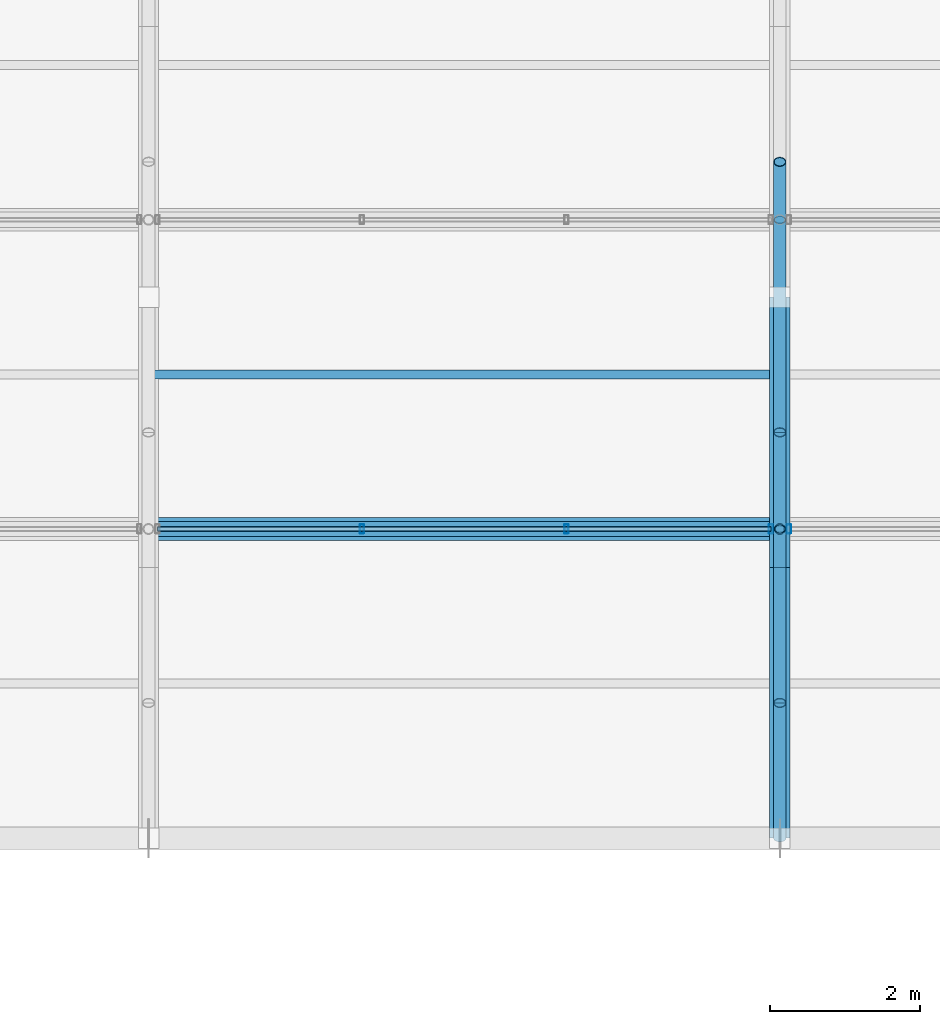
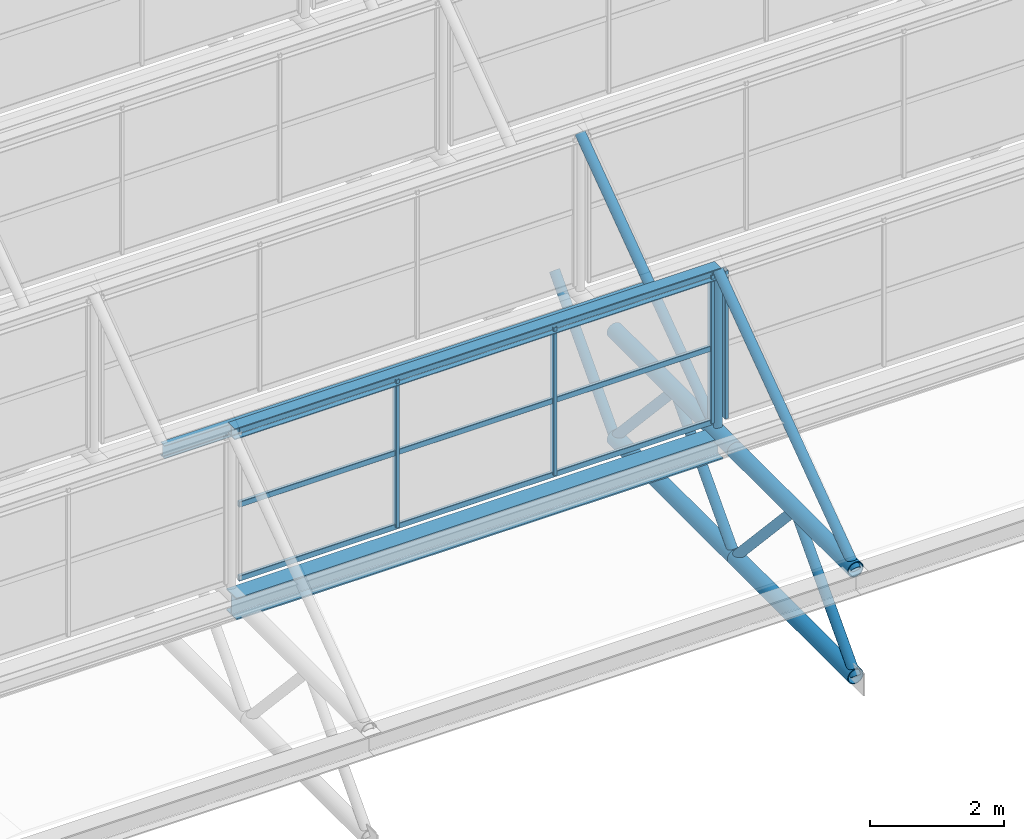
# One storey, part 56 of 134: 19 members, 3 beams, 2 elements without a shape of their own.
"""IFC4 building model written with IfcOpenShell, lengths in metres."""

from ifc_helpers import new_model, si_unit, derived_unit, direction, frame, origin, origin_2d, place, context, subcontext, project, spatial, hollow_rectangle, hollow_circle, i_section, extrude, material, material_profile, profile_set, type_object, element, aggregate, save


model = new_model("IFC4")

# Units and contexts
model_context = context("Model", 3, precision=1e-05, world=origin(), true_north=direction((0.0, 1.0)))
body_context = subcontext(model_context, "Body", "Model", "MODEL_VIEW")
ifc_project = project(units=[si_unit("LENGTHUNIT", "METRE"), si_unit("AREAUNIT", "SQUARE_METRE"), si_unit("VOLUMEUNIT", "CUBIC_METRE"), si_unit("PLANEANGLEUNIT", "RADIAN"), si_unit("MASSUNIT", "GRAM", prefix="KILO"), derived_unit("THERMALTRANSMITTANCEUNIT", [(si_unit("MASSUNIT", "GRAM", prefix="KILO"), 1), (si_unit("TIMEUNIT", "SECOND"), -3), (si_unit("THERMODYNAMICTEMPERATUREUNIT", "KELVIN"), -1)])], contexts=[model_context])

# Site, building, storey
site_placement = place(None, origin())
site = spatial("IfcSite", under=ifc_project, at=site_placement, CompositionType="ELEMENT")
building_placement = place(site_placement, origin())
building = spatial("IfcBuilding", under=site, at=building_placement, Name="Kharveza Railside Sports Centre", CompositionType="ELEMENT")
storey_placement = place(building_placement, frame((0.0, 0.0, 12.89990234375)))
storey = spatial("IfcBuildingStorey", under=building, at=storey_placement, Name="L03", CompositionType="ELEMENT", Elevation=12.89990234375)

# Beams
ifc_material_1 = material(Name="Steel S355J2", Category="steel")
ifc_material_profile_1 = material_profile(ifc_material_1, i_section(OverallWidth=0.300048828125, OverallDepth=0.39990234375, WebThickness=0.013427734375, FlangeThickness=0.02392578125, FilletRadius=0.027099609375, at=origin_2d()), Name="HEB 400")
ifc_profile_set_1 = profile_set([ifc_material_profile_1], Name="Steel S355J2")
beam_type_1 = type_object("IfcBeamType", Name="BM-G07", PredefinedType="T_BEAM", material=ifc_profile_set_1)
beam_1_placement = place(storey_placement, frame((109.199951171875, 83.314208984375, 1.760009765625), z_axis=(1.0, 0.0, 0.0), x_axis=(0.0, 1.0, 0.0)))
element("IfcBeam", 1, at=beam_1_placement, inside=storey, type_object=beam_type_1, Name="BM-V2SAW-VAL-2-3", PredefinedType="T_BEAM", context=body_context, shape_type="SweptSolid", body=[
    extrude(i_section(OverallWidth=0.300048828125, OverallDepth=0.39990234375, WebThickness=0.013427734375, FlangeThickness=0.02392578125, FilletRadius=0.027099609375, at=origin_2d()), origin(), (0.0, 0.0, 1.0), 8.400146484375),
])
ifc_material_2 = material(Name="Steel S275JR", Category="steel")
ifc_material_profile_2 = material_profile(ifc_material_2, i_section(OverallWidth=0.1201171875, OverallDepth=0.239990234375, WebThickness=0.006103515625, FlangeThickness=0.009765625, FilletRadius=0.014892578125, at=origin_2d()), Name="IPE 240")
ifc_profile_set_2 = profile_set([ifc_material_profile_2], Name="Steel S275JR")
beam_type_2 = type_object("IfcBeamType", Name="BM-J01", PredefinedType="JOIST", material=ifc_profile_set_2)
beam_2_placement = place(storey_placement, frame((109.199951171875, 85.37158203125, 3.320068359375), z_axis=(1.0, 0.0, 0.0), x_axis=(0.0, 1.0, 0.0)))
element("IfcBeam", 2, at=beam_2_placement, inside=storey, type_object=beam_type_2, Name="BM-V2SAW-PUR-2-3", PredefinedType="JOIST", context=body_context, shape_type="SweptSolid", body=[
    extrude(i_section(OverallWidth=0.1201171875, OverallDepth=0.239990234375, WebThickness=0.006103515625, FlangeThickness=0.009765625, FilletRadius=0.014892578125, at=origin_2d()), origin(), (0.0, 0.0, 1.0), 8.400146484375),
])
ifc_material_profile_3 = material_profile(ifc_material_2, i_section(OverallWidth=0.199951171875, OverallDepth=0.199951171875, WebThickness=0.009033203125, FlangeThickness=0.014892578125, FilletRadius=0.01806640625, at=origin_2d()), Name="HEB 200")
ifc_profile_set_3 = profile_set([ifc_material_profile_3], Name="Steel S275JR")
beam_type_3 = type_object("IfcBeamType", Name="BM-J05", PredefinedType="JOIST", material=ifc_profile_set_3)
beam_3_placement = place(storey_placement, frame((109.199951171875, 83.314208984375, 4.920166015625), z_axis=(1.0, 0.0, 0.0), x_axis=(0.0, 1.0, 0.0)))
element("IfcBeam", 3, at=beam_3_placement, inside=storey, type_object=beam_type_3, Name="BM-V2SAW-RDG-1-3", PredefinedType="JOIST", context=body_context, shape_type="SweptSolid", body=[
    extrude(i_section(OverallWidth=0.199951171875, OverallDepth=0.199951171875, WebThickness=0.009033203125, FlangeThickness=0.014892578125, FilletRadius=0.01806640625, at=origin_2d()), origin(), (0.0, 0.0, 1.0), 8.400146484375),
])

# Curtain wall, members
ifc_material_3 = material(Name="Low-E solar-control laminated glass", Category="glass")
curtain_wall_type = type_object("IfcCurtainWallType", Name="CW-NL02", PredefinedType="NOTDEFINED", material=ifc_material_3)
curtain_wall_1_placement = place(storey_placement, origin())
curtain_wall_1 = element("IfcCurtainWall", 4, at=curtain_wall_1_placement, inside=storey, type_object=curtain_wall_type, Name="CW-V2NL-1-3", PredefinedType="NOTDEFINED")
ifc_material_4 = material(Name="Anodised aluminium 6063-T6", Category="aluminium")
ifc_material_profile_4 = material_profile(ifc_material_4, hollow_rectangle(XDim=0.06005859375, YDim=0.1201171875, WallThickness=0.0048828125, InnerFilletRadius=0.0048828125, OuterFilletRadius=0.010009765625, at=origin_2d()), Name="RHS 60x120x5.0")
ifc_profile_set_4 = profile_set([ifc_material_profile_4], Name="Anodised aluminium 6063-T6")
member_type_1 = type_object("IfcMemberType", Name="CW-ML05", PredefinedType="MULLION", material=ifc_profile_set_4)
member_1_placement = place(storey_placement, frame((112.0400390625, 83.314208984375, 2.2001953125), z_axis=(0.0, 0.0, 1.0), x_axis=(1.0, 0.0, 0.0)))
member_1 = element("IfcMember", 5, at=member_1_placement, type_object=member_type_1, Name="CW-V2NL-1-3-ML2", PredefinedType="MULLION", context=body_context, shape_type="SweptSolid", body=[
    extrude(hollow_rectangle(XDim=0.06005859375, YDim=0.1201171875, WallThickness=0.0048828125, InnerFilletRadius=0.0048828125, OuterFilletRadius=0.010009765625, at=origin_2d()), origin(), (0.0, 0.0, 1.0), 2.699951171875),
])
member_2_placement = place(storey_placement, frame((114.760009765625, 83.314208984375, 2.2001953125), z_axis=(0.0, 0.0, 1.0), x_axis=(1.0, 0.0, 0.0)))
member_2 = element("IfcMember", 6, at=member_2_placement, type_object=member_type_1, Name="CW-V2NL-1-3-ML3", PredefinedType="MULLION", context=body_context, shape_type="SweptSolid", body=[
    extrude(hollow_rectangle(XDim=0.06005859375, YDim=0.1201171875, WallThickness=0.0048828125, InnerFilletRadius=0.0048828125, OuterFilletRadius=0.010009765625, at=origin_2d()), origin(), (0.0, 0.0, 1.0), 2.699951171875),
])
member_3_placement = place(storey_placement, frame((117.47998046875, 83.314208984375, 2.2001953125), z_axis=(0.0, 0.0, 1.0), x_axis=(1.0, 0.0, 0.0)))
member_3 = element("IfcMember", 7, at=member_3_placement, type_object=member_type_1, Name="CW-V2NL-1-3-ML4", PredefinedType="MULLION", context=body_context, shape_type="SweptSolid", body=[
    extrude(hollow_rectangle(XDim=0.06005859375, YDim=0.1201171875, WallThickness=0.0048828125, InnerFilletRadius=0.0048828125, OuterFilletRadius=0.010009765625, at=origin_2d()), origin(), (0.0, 0.0, 1.0), 2.699951171875),
])

# Curtain wall, member
curtain_wall_2_placement = place(storey_placement, origin())
curtain_wall_2 = element("IfcCurtainWall", 8, at=curtain_wall_2_placement, inside=storey, type_object=curtain_wall_type, Name="CW-V2NL-1-4", PredefinedType="NOTDEFINED")
member_4_placement = place(storey_placement, frame((117.719970703125, 83.314208984375, 2.2001953125), z_axis=(0.0, 0.0, 1.0), x_axis=(1.0, 0.0, 0.0)))
member_4 = element("IfcMember", 9, at=member_4_placement, type_object=member_type_1, Name="CW-V2NL-1-4-ML1", PredefinedType="MULLION", context=body_context, shape_type="SweptSolid", body=[
    extrude(hollow_rectangle(XDim=0.06005859375, YDim=0.1201171875, WallThickness=0.0048828125, InnerFilletRadius=0.0048828125, OuterFilletRadius=0.010009765625, at=origin_2d()), origin(), (0.0, 0.0, 1.0), 2.699951171875),
])
aggregate(curtain_wall_2, [member_4])

# Member
ifc_material_profile_5 = material_profile(ifc_material_4, hollow_rectangle(XDim=0.06005859375, YDim=0.10009765625, WallThickness=0.00390625, InnerFilletRadius=0.00390625, OuterFilletRadius=0.008056640625, at=origin_2d()), Name="RHS 60x100x4.0")
ifc_profile_set_5 = profile_set([ifc_material_profile_5], Name="Anodised aluminium 6063-T6")
member_type_2 = type_object("IfcMemberType", Name="CW-TR05", PredefinedType="USERDEFINED", material=ifc_profile_set_5)
member_5_placement = place(storey_placement, frame((109.320068359375, 83.314208984375, 2.2001953125), z_axis=(1.0, 0.0, 0.0), x_axis=(0.0, 1.0, 0.0)))
member_5 = element("IfcMember", 10, at=member_5_placement, type_object=member_type_2, Name="CW-V2NL-1-3-TR1", ObjectType="TRANSOM", PredefinedType="USERDEFINED", context=body_context, shape_type="SweptSolid", body=[
    extrude(hollow_rectangle(XDim=0.06005859375, YDim=0.10009765625, WallThickness=0.00390625, InnerFilletRadius=0.00390625, OuterFilletRadius=0.008056640625, at=origin_2d()), origin(), (0.0, 0.0, 1.0), 8.159912109375),
])

member_6_placement = place(storey_placement, frame((109.320068359375, 83.314208984375, 3.550048828125), z_axis=(1.0, 0.0, 0.0), x_axis=(0.0, 1.0, 0.0)))
member_6 = element("IfcMember", 11, at=member_6_placement, type_object=member_type_2, Name="CW-V2NL-1-3-TR2", ObjectType="TRANSOM", PredefinedType="USERDEFINED", context=body_context, shape_type="SweptSolid", body=[
    extrude(hollow_rectangle(XDim=0.06005859375, YDim=0.10009765625, WallThickness=0.00390625, InnerFilletRadius=0.00390625, OuterFilletRadius=0.008056640625, at=origin_2d()), origin(), (0.0, 0.0, 1.0), 8.159912109375),
])

member_7_placement = place(storey_placement, frame((109.320068359375, 83.314208984375, 4.900146484375), z_axis=(1.0, 0.0, 0.0), x_axis=(0.0, 1.0, 0.0)))
member_7 = element("IfcMember", 12, at=member_7_placement, type_object=member_type_2, Name="CW-V2NL-1-3-TR3", ObjectType="TRANSOM", PredefinedType="USERDEFINED", context=body_context, shape_type="SweptSolid", body=[
    extrude(hollow_rectangle(XDim=0.06005859375, YDim=0.10009765625, WallThickness=0.00390625, InnerFilletRadius=0.00390625, OuterFilletRadius=0.008056640625, at=origin_2d()), origin(), (0.0, 0.0, 1.0), 8.159912109375),
])

aggregate(curtain_wall_1, [member_1, member_2, member_3, member_5, member_6, member_7])

# Members
ifc_material_profile_6 = material_profile(ifc_material_1, hollow_circle(Radius=0.136474609375, WallThickness=0.01416015625, at=origin_2d()), Name="CHS 273.0x14.2")
ifc_profile_set_6 = profile_set([ifc_material_profile_6], Name="Steel S355J2")
member_type_3 = type_object("IfcMemberType", Name="MB-CH03", PredefinedType="CHORD", material=ifc_profile_set_6)
for number, where, z_axis, x_axis, name in (
    (13, (117.60009765625, 79.199951171875, 0.0), (0.0, 1.0, 0.0), (-1.0, 0.0, 0.0), "MB-V2TR-BC-4-1"),
    (14, (117.60009765625, 79.199951171875, 1.9501953125), (0.0, 1.0, 0.0), (-1.0, 0.0, 0.0), "MB-V2TR-TC-4-1"),
):
    element("IfcMember", number, at=place(storey_placement, frame(where, z_axis=z_axis, x_axis=x_axis)), inside=storey, type_object=member_type_3, Name=name, PredefinedType="CHORD", context=body_context, shape_type="SweptSolid", body=[
        extrude(hollow_circle(Radius=0.136474609375, WallThickness=0.01416015625, at=origin_2d()), origin(), (0.0, 0.0, 1.0), 3.60009765625),
    ])
for number, where, z_axis, x_axis, name in (
    (15, (117.60009765625, 82.800048828125, 0.0), (0.0, 1.0, 0.0), (-1.0, 0.0, 0.0), "MB-V2TR-BC-4-2"),
    (16, (117.60009765625, 82.800048828125, 1.9501953125), (0.0, 1.0, 0.0), (-1.0, 0.0, 0.0), "MB-V2TR-TC-4-2"),
):
    element("IfcMember", number, at=place(storey_placement, frame(where, z_axis=z_axis, x_axis=x_axis)), inside=storey, type_object=member_type_3, Name=name, PredefinedType="CHORD", context=body_context, shape_type="SweptSolid", body=[
        extrude(hollow_circle(Radius=0.136474609375, WallThickness=0.01416015625, at=origin_2d()), origin(), (0.0, 0.0, 1.0), 3.599853515625),
    ])
ifc_material_profile_7 = material_profile(ifc_material_1, hollow_circle(Radius=0.084228515625, WallThickness=0.010009765625, at=origin_2d()), Name="CHS 168.3x10.0")
ifc_profile_set_7 = profile_set([ifc_material_profile_7], Name="Steel S355J2")
member_type_4 = type_object("IfcMemberType", Name="MB-ST03", PredefinedType="STRUT", material=ifc_profile_set_7)
for number, where, z_axis, x_axis, name in (
    (17, (117.60009765625, 79.199951171875, 0.0), (0.0, 0.67825335715, 0.734828131956), (-1.0, 0.0, 0.0), "MB-V2TR-D1-4-1"),
    (18, (117.60009765625, 81.0, 1.9501953125), (0.0, 0.67825335715, -0.734828131956), (-1.0, 0.0, 0.0), "MB-V2TR-D2-4-1"),
    (19, (117.60009765625, 82.800048828125, 0.0), (0.0, 0.67825335715, 0.734828131956), (-1.0, 0.0, 0.0), "MB-V2TR-D1-4-2"),
):
    element("IfcMember", number, at=place(storey_placement, frame(where, z_axis=z_axis, x_axis=x_axis)), inside=storey, type_object=member_type_4, Name=name, PredefinedType="STRUT", context=body_context, shape_type="SweptSolid", body=[
        extrude(hollow_circle(Radius=0.084228515625, WallThickness=0.010009765625, at=origin_2d()), origin(), (0.0, 0.0, 1.0), 2.654052734375),
    ])
member_8_placement = place(storey_placement, frame((117.60009765625, 84.60009765625, 1.9501953125), z_axis=(0.0, 0.678203679629, -0.734873981671), x_axis=(-1.0, 0.0, 0.0)))
element("IfcMember", 20, at=member_8_placement, inside=storey, type_object=member_type_4, Name="MB-V2TR-D2-4-2", PredefinedType="STRUT", context=body_context, shape_type="SweptSolid", body=[
    extrude(hollow_circle(Radius=0.084228515625, WallThickness=0.010009765625, at=origin_2d()), origin(), (0.0, 0.0, 1.0), 2.65380859375),
])
member_9_placement = place(storey_placement, frame((117.60009765625, 86.39990234375, 0.0), z_axis=(0.0, 0.67825335715, 0.734828131956), x_axis=(-1.0, 0.0, 0.0)))
element("IfcMember", 21, at=member_9_placement, inside=storey, type_object=member_type_4, Name="MB-V2TR-D1-4-3", PredefinedType="STRUT", context=body_context, shape_type="SweptSolid", body=[
    extrude(hollow_circle(Radius=0.084228515625, WallThickness=0.010009765625, at=origin_2d()), origin(), (0.0, 0.0, 1.0), 2.654052734375),
])
member_10_placement = place(storey_placement, frame((117.60009765625, 79.199951171875, 1.9501953125), z_axis=(0.0, 0.810813691418, 0.585304329225), x_axis=(-1.0, 0.0, 0.0)))
element("IfcMember", 22, at=member_10_placement, inside=storey, type_object=member_type_4, Name="MB-V2SAW-RFT-1-4", PredefinedType="STRUT", context=body_context, shape_type="SweptSolid", body=[
    extrude(hollow_circle(Radius=0.084228515625, WallThickness=0.010009765625, at=origin_2d()), origin(), (0.0, 0.0, 1.0), 5.07421875),
])
member_11_placement = place(storey_placement, frame((117.60009765625, 83.314208984375, 1.9501953125), z_axis=(0.0, 0.810830173333, 0.585281496386), x_axis=(-1.0, 0.0, 0.0)))
element("IfcMember", 23, at=member_11_placement, inside=storey, type_object=member_type_4, Name="MB-V2SAW-RFT-2-4", PredefinedType="STRUT", context=body_context, shape_type="SweptSolid", body=[
    extrude(hollow_circle(Radius=0.084228515625, WallThickness=0.010009765625, at=origin_2d()), origin(), (0.0, 0.0, 1.0), 5.074462890625),
])
ifc_material_profile_8 = material_profile(ifc_material_1, hollow_circle(Radius=0.06982421875, WallThickness=0.008056640625, at=origin_2d()), Name="CHS 139.7x8.0")
ifc_profile_set_8 = profile_set([ifc_material_profile_8], Name="Steel S355J2")
member_type_5 = type_object("IfcMemberType", Name="MB-ST04", PredefinedType="STRUT", material=ifc_profile_set_8)
member_12_placement = place(storey_placement, frame((117.60009765625, 83.314208984375, 1.9501953125), z_axis=(0.0, 0.0, 1.0), x_axis=(1.0, 0.0, 0.0)))
element("IfcMember", 24, at=member_12_placement, inside=storey, type_object=member_type_5, Name="MB-V2SAW-PST-1-4", PredefinedType="STRUT", context=body_context, shape_type="SweptSolid", body=[
    extrude(hollow_circle(Radius=0.06982421875, WallThickness=0.008056640625, at=origin_2d()), origin(), (0.0, 0.0, 1.0), 2.969970703125),
])

save(model, "model.ifc")
